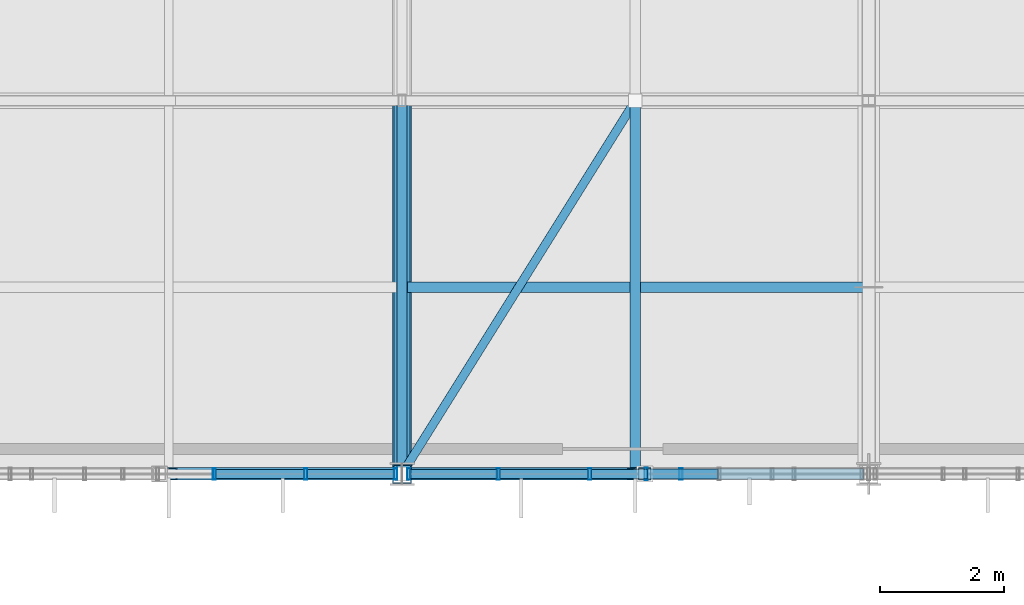
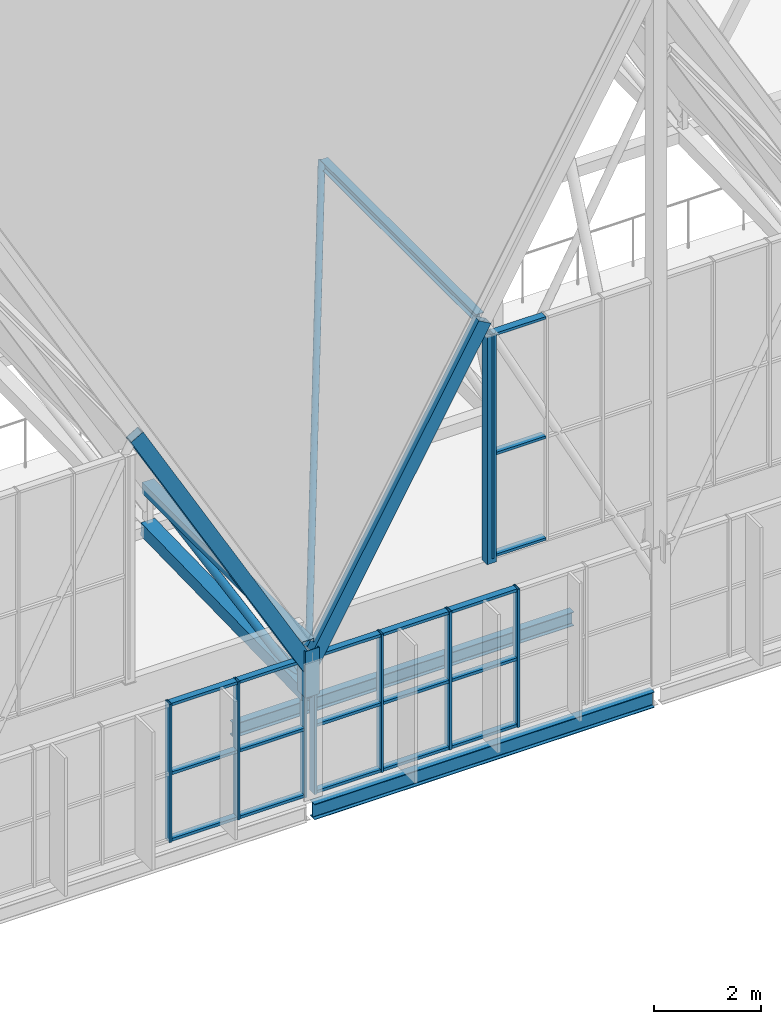
# One storey, part 125 of 324: 34 members, 3 beams, 3 elements without a shape of their own.
"""IFC4 building model written with IfcOpenShell, lengths in metres."""

from ifc_helpers import new_model, si_unit, direction, frame, origin, origin_2d, place, context, subcontext, project, spatial, hollow_rectangle, hollow_circle, i_section, extrude, material, layer, layer_set, material_profile, profile_set, type_object, element, aggregate, save


model = new_model("IFC4")

# Units and contexts
model_context = context("Model", 3, precision=1e-05, world=origin(), true_north=direction((0.0, 1.0)))
body_context = subcontext(model_context, "Body", "Model", "MODEL_VIEW")
ifc_project = project(units=[si_unit("LENGTHUNIT", "METRE"), si_unit("AREAUNIT", "SQUARE_METRE"), si_unit("VOLUMEUNIT", "CUBIC_METRE"), si_unit("PLANEANGLEUNIT", "RADIAN"), si_unit("MASSUNIT", "GRAM", prefix="KILO")], contexts=[model_context])

# Site, building, storey
site_placement = place(None, origin())
site = spatial("IfcSite", under=ifc_project, at=site_placement, CompositionType="ELEMENT")
building_placement = place(site_placement, origin())
building = spatial("IfcBuilding", under=site, at=building_placement, Name="Solvenia Promenade Tram Depot", CompositionType="ELEMENT")
storey_placement = place(building_placement, frame((0.0, 0.0, 4.5)))
storey = spatial("IfcBuildingStorey", under=building, at=storey_placement, Name="L01", CompositionType="ELEMENT", Elevation=4.5)

# Curtain wall, members
ifc_material_1 = material(Name="Anodized aluminium AW-6063 T6", Category="aluminium")
ifc_layer_1 = layer(ifc_material_1, 0.159912109375, Name="Anodized aluminium AW-6063 T6", Category="aluminium")
ifc_layer_set_1 = layer_set([ifc_layer_1], Name="Anodized aluminium AW-6063 T6")
curtain_wall_type_1 = type_object("IfcCurtainWallType", Name="CW-Channel-1500", PredefinedType="NOTDEFINED", material=ifc_layer_set_1)
curtain_wall_1_placement = place(storey_placement, origin())
curtain_wall_1 = element("IfcCurtainWall", 1, at=curtain_wall_1_placement, inside=storey, type_object=curtain_wall_type_1, Name="Curtain Wall CW-V1S1-04", PredefinedType="NOTDEFINED")
ifc_material_profile_1 = material_profile(ifc_material_1, hollow_rectangle(XDim=0.179931640625, YDim=0.050048828125, WallThickness=0.00390625, at=origin_2d()), Name="ALU-M2", Category="aluminium")
ifc_profile_set_1 = profile_set([ifc_material_profile_1], Name="Anodized aluminium AW-6063 T6")
member_type_1 = type_object("IfcMemberType", Name="CWM-Mullion-2", PredefinedType="MULLION", material=ifc_profile_set_1)
member_1_placement = place(storey_placement, frame((71.98388671875, 66.0, 0.0), z_axis=(0.0, 0.0, 1.0), x_axis=(0.0, 1.0, 0.0)))
member_1 = element("IfcMember", 2, at=member_1_placement, type_object=member_type_1, Name="CW-2 mullion 4", PredefinedType="MULLION", context=body_context, shape_type="SweptSolid", body=[
    extrude(hollow_rectangle(XDim=0.179931640625, YDim=0.050048828125, WallThickness=0.00390625, at=origin_2d()), origin(), (0.0, 0.0, 1.0), 3.14990234375),
])
member_2_placement = place(storey_placement, frame((73.451904296875, 66.0, 0.0), z_axis=(0.0, 0.0, 1.0), x_axis=(0.0, 1.0, 0.0)))
member_2 = element("IfcMember", 3, at=member_2_placement, type_object=member_type_1, Name="CW-2 mullion 5", PredefinedType="MULLION", context=body_context, shape_type="SweptSolid", body=[
    extrude(hollow_rectangle(XDim=0.179931640625, YDim=0.050048828125, WallThickness=0.00390625, at=origin_2d()), origin(), (0.0, 0.0, 1.0), 3.14990234375),
])
member_3_placement = place(storey_placement, frame((74.89501953125, 66.0, 0.0), z_axis=(0.0, 0.0, 1.0), x_axis=(0.0, 1.0, 0.0)))
member_3 = element("IfcMember", 4, at=member_3_placement, type_object=member_type_1, Name="CW-2 mullion 6", PredefinedType="MULLION", context=body_context, shape_type="SweptSolid", body=[
    extrude(hollow_rectangle(XDim=0.179931640625, YDim=0.050048828125, WallThickness=0.00390625, at=origin_2d()), origin(), (0.0, 0.0, 1.0), 3.14990234375),
])

curtain_wall_2_placement = place(storey_placement, origin())
curtain_wall_2 = element("IfcCurtainWall", 5, at=curtain_wall_2_placement, inside=storey, type_object=curtain_wall_type_1, Name="Curtain Wall CW-V1S1-05", PredefinedType="NOTDEFINED")
member_4_placement = place(storey_placement, frame((75.10498046875, 66.0, 0.0), z_axis=(0.0, 0.0, 1.0), x_axis=(0.0, 1.0, 0.0)))
member_4 = element("IfcMember", 6, at=member_4_placement, type_object=member_type_1, Name="CW-2 mullion 1", PredefinedType="MULLION", context=body_context, shape_type="SweptSolid", body=[
    extrude(hollow_rectangle(XDim=0.179931640625, YDim=0.050048828125, WallThickness=0.00390625, at=origin_2d()), origin(), (0.0, 0.0, 1.0), 3.14990234375),
])
member_5_placement = place(storey_placement, frame((76.548095703125, 66.0, 0.0), z_axis=(0.0, 0.0, 1.0), x_axis=(0.0, 1.0, 0.0)))
member_5 = element("IfcMember", 7, at=member_5_placement, type_object=member_type_1, Name="CW-2 mullion 2", PredefinedType="MULLION", context=body_context, shape_type="SweptSolid", body=[
    extrude(hollow_rectangle(XDim=0.179931640625, YDim=0.050048828125, WallThickness=0.00390625, at=origin_2d()), origin(), (0.0, 0.0, 1.0), 3.14990234375),
])
member_6_placement = place(storey_placement, frame((78.01611328125, 66.0, 0.0), z_axis=(0.0, 0.0, 1.0), x_axis=(0.0, 1.0, 0.0)))
member_6 = element("IfcMember", 8, at=member_6_placement, type_object=member_type_1, Name="CW-2 mullion 3", PredefinedType="MULLION", context=body_context, shape_type="SweptSolid", body=[
    extrude(hollow_rectangle(XDim=0.179931640625, YDim=0.050048828125, WallThickness=0.00390625, at=origin_2d()), origin(), (0.0, 0.0, 1.0), 3.14990234375),
])
member_7_placement = place(storey_placement, frame((79.48388671875, 66.0, 0.0), z_axis=(0.0, 0.0, 1.0), x_axis=(0.0, 1.0, 0.0)))
member_7 = element("IfcMember", 9, at=member_7_placement, type_object=member_type_1, Name="CW-2 mullion 4", PredefinedType="MULLION", context=body_context, shape_type="SweptSolid", body=[
    extrude(hollow_rectangle(XDim=0.179931640625, YDim=0.050048828125, WallThickness=0.00390625, at=origin_2d()), origin(), (0.0, 0.0, 1.0), 3.14990234375),
])

# Curtain wall, member
ifc_layer_2 = layer(ifc_material_1, 0.14990234375, Name="Anodized aluminium AW-6063 T6", Category="aluminium")
ifc_layer_set_2 = layer_set([ifc_layer_2], Name="Anodized aluminium AW-6063 T6")
curtain_wall_type_2 = type_object("IfcCurtainWallType", Name="CW-Gable-1200", PredefinedType="NOTDEFINED", material=ifc_layer_set_2)
curtain_wall_3_placement = place(storey_placement, origin())
curtain_wall_3 = element("IfcCurtainWall", 10, at=curtain_wall_3_placement, inside=storey, type_object=curtain_wall_type_2, Name="South Zigzag Gable 06 Peak Glazing", PredefinedType="NOTDEFINED")
ifc_material_profile_2 = material_profile(ifc_material_1, hollow_rectangle(XDim=0.199951171875, YDim=0.048095703125, WallThickness=0.00390625, at=origin_2d()), Name="ALU-M3", Category="aluminium")
ifc_profile_set_2 = profile_set([ifc_material_profile_2], Name="Anodized aluminium AW-6063 T6")
member_type_2 = type_object("IfcMemberType", Name="CWM-Mullion-3", PredefinedType="MULLION", material=ifc_profile_set_2)
member_8_placement = place(storey_placement, frame((78.924072265625, 66.0, 4.050048828125), z_axis=(0.0, 0.0, 1.0), x_axis=(0.0, 1.0, 0.0)))
member_8 = element("IfcMember", 11, at=member_8_placement, type_object=member_type_2, Name="CW-3 mullion 1", PredefinedType="MULLION", context=body_context, shape_type="SweptSolid", body=[
    extrude(hollow_rectangle(XDim=0.199951171875, YDim=0.048095703125, WallThickness=0.00390625, at=origin_2d()), origin(), (0.0, 0.0, 1.0), 5.099853515625),
])

# Member
ifc_material_profile_3 = material_profile(ifc_material_1, hollow_rectangle(XDim=0.139892578125, YDim=0.06494140625, WallThickness=0.00390625, at=origin_2d()), Name="ALU-T2", Category="aluminium")
ifc_profile_set_3 = profile_set([ifc_material_profile_3], Name="Anodized aluminium AW-6063 T6")
member_type_3 = type_object("IfcMemberType", Name="CWT-Transom-2", PredefinedType="USERDEFINED", material=ifc_profile_set_3)
member_9_placement = place(storey_placement, frame((72.009033203125, 66.0, 0.032470703125), z_axis=(1.0, 0.0, 0.0), x_axis=(0.0, 1.0, 0.0)))
member_9 = element("IfcMember", 12, at=member_9_placement, type_object=member_type_3, Name="CW-2 transom 4.1", ObjectType="TRANSOM", PredefinedType="USERDEFINED", context=body_context, shape_type="SweptSolid", body=[
    extrude(hollow_rectangle(XDim=0.139892578125, YDim=0.06494140625, WallThickness=0.00390625, at=origin_2d()), origin(), (0.0, 0.0, 1.0), 1.41796875),
])

member_10_placement = place(storey_placement, frame((72.009033203125, 66.0, 1.550048828125), z_axis=(1.0, 0.0, 0.0), x_axis=(0.0, 1.0, 0.0)))
member_10 = element("IfcMember", 13, at=member_10_placement, type_object=member_type_3, Name="CW-2 transom 4.2", ObjectType="TRANSOM", PredefinedType="USERDEFINED", context=body_context, shape_type="SweptSolid", body=[
    extrude(hollow_rectangle(XDim=0.139892578125, YDim=0.06494140625, WallThickness=0.00390625, at=origin_2d()), origin(), (0.0, 0.0, 1.0), 1.41796875),
])

member_11_placement = place(storey_placement, frame((72.009033203125, 66.0, 3.117431640625), z_axis=(1.0, 0.0, 0.0), x_axis=(0.0, 1.0, 0.0)))
member_11 = element("IfcMember", 14, at=member_11_placement, type_object=member_type_3, Name="CW-2 transom 4.3", ObjectType="TRANSOM", PredefinedType="USERDEFINED", context=body_context, shape_type="SweptSolid", body=[
    extrude(hollow_rectangle(XDim=0.139892578125, YDim=0.06494140625, WallThickness=0.00390625, at=origin_2d()), origin(), (0.0, 0.0, 1.0), 1.41796875),
])

member_12_placement = place(storey_placement, frame((73.47705078125, 66.0, 0.032470703125), z_axis=(1.0, 0.0, 0.0), x_axis=(0.0, 1.0, 0.0)))
member_12 = element("IfcMember", 15, at=member_12_placement, type_object=member_type_3, Name="CW-2 transom 5.1", ObjectType="TRANSOM", PredefinedType="USERDEFINED", context=body_context, shape_type="SweptSolid", body=[
    extrude(hollow_rectangle(XDim=0.139892578125, YDim=0.06494140625, WallThickness=0.00390625, at=origin_2d()), origin(), (0.0, 0.0, 1.0), 1.39306640625),
])

member_13_placement = place(storey_placement, frame((73.47705078125, 66.0, 1.550048828125), z_axis=(1.0, 0.0, 0.0), x_axis=(0.0, 1.0, 0.0)))
member_13 = element("IfcMember", 16, at=member_13_placement, type_object=member_type_3, Name="CW-2 transom 5.2", ObjectType="TRANSOM", PredefinedType="USERDEFINED", context=body_context, shape_type="SweptSolid", body=[
    extrude(hollow_rectangle(XDim=0.139892578125, YDim=0.06494140625, WallThickness=0.00390625, at=origin_2d()), origin(), (0.0, 0.0, 1.0), 1.39306640625),
])

member_14_placement = place(storey_placement, frame((73.47705078125, 66.0, 3.117431640625), z_axis=(1.0, 0.0, 0.0), x_axis=(0.0, 1.0, 0.0)))
member_14 = element("IfcMember", 17, at=member_14_placement, type_object=member_type_3, Name="CW-2 transom 5.3", ObjectType="TRANSOM", PredefinedType="USERDEFINED", context=body_context, shape_type="SweptSolid", body=[
    extrude(hollow_rectangle(XDim=0.139892578125, YDim=0.06494140625, WallThickness=0.00390625, at=origin_2d()), origin(), (0.0, 0.0, 1.0), 1.39306640625),
])

aggregate(curtain_wall_1, [member_1, member_2, member_3, member_9, member_10, member_11, member_12, member_13, member_14])

member_15_placement = place(storey_placement, frame((75.1298828125, 66.0, 0.032470703125), z_axis=(1.0, 0.0, 0.0), x_axis=(0.0, 1.0, 0.0)))
member_15 = element("IfcMember", 18, at=member_15_placement, type_object=member_type_3, Name="CW-2 transom 1.1", ObjectType="TRANSOM", PredefinedType="USERDEFINED", context=body_context, shape_type="SweptSolid", body=[
    extrude(hollow_rectangle(XDim=0.139892578125, YDim=0.06494140625, WallThickness=0.00390625, at=origin_2d()), origin(), (0.0, 0.0, 1.0), 1.39306640625),
])

member_16_placement = place(storey_placement, frame((75.1298828125, 66.0, 1.550048828125), z_axis=(1.0, 0.0, 0.0), x_axis=(0.0, 1.0, 0.0)))
member_16 = element("IfcMember", 19, at=member_16_placement, type_object=member_type_3, Name="CW-2 transom 1.2", ObjectType="TRANSOM", PredefinedType="USERDEFINED", context=body_context, shape_type="SweptSolid", body=[
    extrude(hollow_rectangle(XDim=0.139892578125, YDim=0.06494140625, WallThickness=0.00390625, at=origin_2d()), origin(), (0.0, 0.0, 1.0), 1.39306640625),
])

member_17_placement = place(storey_placement, frame((75.1298828125, 66.0, 3.117431640625), z_axis=(1.0, 0.0, 0.0), x_axis=(0.0, 1.0, 0.0)))
member_17 = element("IfcMember", 20, at=member_17_placement, type_object=member_type_3, Name="CW-2 transom 1.3", ObjectType="TRANSOM", PredefinedType="USERDEFINED", context=body_context, shape_type="SweptSolid", body=[
    extrude(hollow_rectangle(XDim=0.139892578125, YDim=0.06494140625, WallThickness=0.00390625, at=origin_2d()), origin(), (0.0, 0.0, 1.0), 1.39306640625),
])

member_18_placement = place(storey_placement, frame((76.572998046875, 66.0, 0.032470703125), z_axis=(1.0, 0.0, 0.0), x_axis=(0.0, 1.0, 0.0)))
member_18 = element("IfcMember", 21, at=member_18_placement, type_object=member_type_3, Name="CW-2 transom 2.1", ObjectType="TRANSOM", PredefinedType="USERDEFINED", context=body_context, shape_type="SweptSolid", body=[
    extrude(hollow_rectangle(XDim=0.139892578125, YDim=0.06494140625, WallThickness=0.00390625, at=origin_2d()), origin(), (0.0, 0.0, 1.0), 1.41796875),
])

member_19_placement = place(storey_placement, frame((76.572998046875, 66.0, 1.550048828125), z_axis=(1.0, 0.0, 0.0), x_axis=(0.0, 1.0, 0.0)))
member_19 = element("IfcMember", 22, at=member_19_placement, type_object=member_type_3, Name="CW-2 transom 2.2", ObjectType="TRANSOM", PredefinedType="USERDEFINED", context=body_context, shape_type="SweptSolid", body=[
    extrude(hollow_rectangle(XDim=0.139892578125, YDim=0.06494140625, WallThickness=0.00390625, at=origin_2d()), origin(), (0.0, 0.0, 1.0), 1.41796875),
])

member_20_placement = place(storey_placement, frame((76.572998046875, 66.0, 3.117431640625), z_axis=(1.0, 0.0, 0.0), x_axis=(0.0, 1.0, 0.0)))
member_20 = element("IfcMember", 23, at=member_20_placement, type_object=member_type_3, Name="CW-2 transom 2.3", ObjectType="TRANSOM", PredefinedType="USERDEFINED", context=body_context, shape_type="SweptSolid", body=[
    extrude(hollow_rectangle(XDim=0.139892578125, YDim=0.06494140625, WallThickness=0.00390625, at=origin_2d()), origin(), (0.0, 0.0, 1.0), 1.41796875),
])

member_21_placement = place(storey_placement, frame((78.041015625, 66.0, 0.032470703125), z_axis=(1.0, 0.0, 0.0), x_axis=(0.0, 1.0, 0.0)))
member_21 = element("IfcMember", 24, at=member_21_placement, type_object=member_type_3, Name="CW-2 transom 3.1", ObjectType="TRANSOM", PredefinedType="USERDEFINED", context=body_context, shape_type="SweptSolid", body=[
    extrude(hollow_rectangle(XDim=0.139892578125, YDim=0.06494140625, WallThickness=0.00390625, at=origin_2d()), origin(), (0.0, 0.0, 1.0), 1.41796875),
])

member_22_placement = place(storey_placement, frame((78.041015625, 66.0, 1.550048828125), z_axis=(1.0, 0.0, 0.0), x_axis=(0.0, 1.0, 0.0)))
member_22 = element("IfcMember", 25, at=member_22_placement, type_object=member_type_3, Name="CW-2 transom 3.2", ObjectType="TRANSOM", PredefinedType="USERDEFINED", context=body_context, shape_type="SweptSolid", body=[
    extrude(hollow_rectangle(XDim=0.139892578125, YDim=0.06494140625, WallThickness=0.00390625, at=origin_2d()), origin(), (0.0, 0.0, 1.0), 1.41796875),
])

member_23_placement = place(storey_placement, frame((78.041015625, 66.0, 3.117431640625), z_axis=(1.0, 0.0, 0.0), x_axis=(0.0, 1.0, 0.0)))
member_23 = element("IfcMember", 26, at=member_23_placement, type_object=member_type_3, Name="CW-2 transom 3.3", ObjectType="TRANSOM", PredefinedType="USERDEFINED", context=body_context, shape_type="SweptSolid", body=[
    extrude(hollow_rectangle(XDim=0.139892578125, YDim=0.06494140625, WallThickness=0.00390625, at=origin_2d()), origin(), (0.0, 0.0, 1.0), 1.41796875),
])

aggregate(curtain_wall_2, [member_4, member_5, member_6, member_7, member_15, member_16, member_17, member_18, member_19, member_20, member_21, member_22, member_23])

ifc_material_profile_4 = material_profile(ifc_material_1, hollow_rectangle(XDim=0.159912109375, YDim=0.05810546875, WallThickness=0.00390625, at=origin_2d()), Name="ALU-T3", Category="aluminium")
ifc_profile_set_4 = profile_set([ifc_material_profile_4], Name="Anodized aluminium AW-6063 T6")
member_type_4 = type_object("IfcMemberType", Name="CWT-Transom-3", PredefinedType="USERDEFINED", material=ifc_profile_set_4)
member_24_placement = place(storey_placement, frame((78.947998046875, 66.0, 4.0791015625), z_axis=(1.0, 0.0, 0.0), x_axis=(0.0, 1.0, 0.0)))
member_24 = element("IfcMember", 27, at=member_24_placement, type_object=member_type_4, Name="CW-3 transom 1.1", ObjectType="TRANSOM", PredefinedType="USERDEFINED", context=body_context, shape_type="SweptSolid", body=[
    extrude(hollow_rectangle(XDim=0.159912109375, YDim=0.05810546875, WallThickness=0.00390625, at=origin_2d()), origin(), (0.0, 0.0, 1.0), 1.1279296875),
])

member_25_placement = place(storey_placement, frame((78.947998046875, 66.0, 6.39990234375), z_axis=(1.0, 0.0, 0.0), x_axis=(0.0, 1.0, 0.0)))
member_25 = element("IfcMember", 28, at=member_25_placement, type_object=member_type_4, Name="CW-3 transom 1.2", ObjectType="TRANSOM", PredefinedType="USERDEFINED", context=body_context, shape_type="SweptSolid", body=[
    extrude(hollow_rectangle(XDim=0.159912109375, YDim=0.05810546875, WallThickness=0.00390625, at=origin_2d()), origin(), (0.0, 0.0, 1.0), 1.1279296875),
])

member_26_placement = place(storey_placement, frame((78.947998046875, 66.0, 9.12109375), z_axis=(1.0, 0.0, 0.0), x_axis=(0.0, 1.0, 0.0)))
member_26 = element("IfcMember", 29, at=member_26_placement, type_object=member_type_4, Name="CW-3 transom 1.3", ObjectType="TRANSOM", PredefinedType="USERDEFINED", context=body_context, shape_type="SweptSolid", body=[
    extrude(hollow_rectangle(XDim=0.159912109375, YDim=0.05810546875, WallThickness=0.00390625, at=origin_2d()), origin(), (0.0, 0.0, 1.0), 1.1279296875),
])

aggregate(curtain_wall_3, [member_8, member_24, member_25, member_26])

# Members
ifc_material_2 = material(Name="Structural steel ASTM A500 Gr. C", Category="steel")
ifc_material_profile_5 = material_profile(ifc_material_2, hollow_rectangle(XDim=0.25, YDim=0.25, WallThickness=0.010009765625, at=origin_2d()), Name="HSS250x250x10", Category="steel")
ifc_profile_set_5 = profile_set([ifc_material_profile_5], Name="Structural steel ASTM A500 Gr. C")
member_type_5 = type_object("IfcMemberType", Name="Chord-HSS250x250x10", PredefinedType="CHORD", material=ifc_profile_set_5)
member_27_placement = place(storey_placement, frame((75.0, 66.0, 3.3798828125), z_axis=(0.0, 1.0, 0.0), x_axis=(-1.0, 0.0, 0.0)))
element("IfcMember", 30, at=member_27_placement, inside=storey, type_object=member_type_5, Name="Arched Truss T11 Upper Chord S01", PredefinedType="CHORD", context=body_context, shape_type="SweptSolid", body=[
    extrude(hollow_rectangle(XDim=0.25, YDim=0.25, WallThickness=0.010009765625, at=origin_2d()), origin(), (0.0, 0.0, 1.0), 6.0),
])
ifc_material_profile_6 = material_profile(ifc_material_2, hollow_rectangle(XDim=0.199951171875, YDim=0.300048828125, WallThickness=0.012451171875, at=origin_2d()), Name="HSS300x200x12.5", Category="steel")
ifc_profile_set_6 = profile_set([ifc_material_profile_6], Name="Structural steel ASTM A500 Gr. C")
member_type_6 = type_object("IfcMemberType", Name="Chord-HSS300x200x12", PredefinedType="CHORD", material=ifc_profile_set_6)
for number, where, z_axis, x_axis, name in (
    (31, (71.25, 66.0, 9.501220703125), (0.494861595532, 0.0, -0.868971806946), (0.0, 1.0, 0.0), "Zigzag Gable 05 East Lower Rafter"),
    (32, (75.0, 66.0, 2.916259765625), (0.494861595532, 0.0, 0.868971806946), (0.0, 1.0, 0.0), "Zigzag Gable 06 West Lower Rafter"),
):
    element("IfcMember", number, at=place(storey_placement, frame(where, z_axis=z_axis, x_axis=x_axis)), inside=storey, type_object=member_type_6, Name=name, PredefinedType="CHORD", context=body_context, shape_type="SweptSolid", body=[
        extrude(hollow_rectangle(XDim=0.199951171875, YDim=0.300048828125, WallThickness=0.012451171875, at=origin_2d()), origin(), (0.0, 0.0, 1.0), 7.577880859375),
    ])
ifc_material_profile_7 = material_profile(ifc_material_2, hollow_rectangle(XDim=0.300048828125, YDim=0.300048828125, WallThickness=0.012451171875, at=origin_2d()), Name="HSS300x300x12.5", Category="steel")
ifc_profile_set_7 = profile_set([ifc_material_profile_7], Name="Structural steel ASTM A500 Gr. C")
member_type_7 = type_object("IfcMemberType", Name="Chord-HSS300x300x12", PredefinedType="CHORD", material=ifc_profile_set_7)
member_28_placement = place(storey_placement, frame((75.0, 66.0, 2.320068359375), z_axis=(0.0, 0.0, 1.0), x_axis=(1.0, 0.0, 0.0)))
element("IfcMember", 33, at=member_28_placement, inside=storey, type_object=member_type_7, Name="Arched Truss T11 S End Post", PredefinedType="CHORD", context=body_context, shape_type="SweptSolid", body=[
    extrude(hollow_rectangle(XDim=0.300048828125, YDim=0.300048828125, WallThickness=0.012451171875, at=origin_2d()), origin(), (0.0, 0.0, 1.0), 1.059814453125),
])
member_29_placement = place(storey_placement, frame((75.0, 66.0, 2.320068359375), z_axis=(0.0, 0.999779654873, 0.020991467363), x_axis=(-1.0, 0.0, 0.0)))
element("IfcMember", 34, at=member_29_placement, inside=storey, type_object=member_type_7, Name="Arched Truss T11 Bottom Chord S01", PredefinedType="CHORD", context=body_context, shape_type="SweptSolid", body=[
    extrude(hollow_rectangle(XDim=0.300048828125, YDim=0.300048828125, WallThickness=0.012451171875, at=origin_2d()), origin(), (0.0, 0.0, 1.0), 6.001220703125),
])

# Beam
ifc_material_3 = material(Name="Structural steel ASTM A992 Gr. 50", Category="steel")
ifc_material_profile_8 = material_profile(ifc_material_3, i_section(OverallWidth=0.166015625, OverallDepth=0.31298828125, WebThickness=0.006591796875, FlangeThickness=0.01123046875, FilletRadius=0.010009765625, at=origin_2d()), Name="W310x45", Category="steel")
ifc_profile_set_8 = profile_set([ifc_material_profile_8], Name="Structural steel ASTM A992 Gr. 50")
beam_type_1 = type_object("IfcBeamType", Name="Joist-W310x45", PredefinedType="JOIST", material=ifc_profile_set_8)
beam_1_placement = place(storey_placement, frame((75.0849609375, 69.0, -0.37646484375), z_axis=(1.0, 0.0, 0.0), x_axis=(0.0, 1.0, 0.0)))
element("IfcBeam", 35, at=beam_1_placement, inside=storey, type_object=beam_type_1, Name="Secondary Floor Joist BM-L01-0091", PredefinedType="JOIST", context=body_context, shape_type="SweptSolid", body=[
    extrude(i_section(OverallWidth=0.166015625, OverallDepth=0.31298828125, WebThickness=0.006591796875, FlangeThickness=0.01123046875, FilletRadius=0.010009765625, at=origin_2d()), origin(), (0.0, 0.0, 1.0), 7.330078125),
])

# Member
ifc_material_profile_9 = material_profile(ifc_material_2, hollow_rectangle(XDim=0.199951171875, YDim=0.199951171875, WallThickness=0.010009765625, at=origin_2d()), Name="HSS200x200x10", Category="steel")
ifc_profile_set_9 = profile_set([ifc_material_profile_9], Name="Structural steel ASTM A500 Gr. C")
member_type_8 = type_object("IfcMemberType", Name="Post-HSS200x200x10", PredefinedType="POST", material=ifc_profile_set_9)
member_30_placement = place(storey_placement, frame((78.89990234375, 66.0, 3.949951171875), z_axis=(0.0, 0.0, 1.0), x_axis=(1.0, 0.0, 0.0)))
element("IfcMember", 36, at=member_30_placement, inside=storey, type_object=member_type_8, Name="Gable Curtain-Wall Steel Jamb Post 023", PredefinedType="POST", context=body_context, shape_type="SweptSolid", body=[
    extrude(hollow_rectangle(XDim=0.199951171875, YDim=0.199951171875, WallThickness=0.010009765625, at=origin_2d()), origin(), (0.0, 0.0, 1.0), 5.199951171875),
])

# Beam
ifc_material_profile_10 = material_profile(ifc_material_3, i_section(OverallWidth=0.1650390625, OverallDepth=0.200927734375, WebThickness=0.006103515625, FlangeThickness=0.01025390625, FilletRadius=0.010009765625, at=origin_2d()), Name="W200x36", Category="steel")
ifc_profile_set_10 = profile_set([ifc_material_profile_10], Name="Structural steel ASTM A992 Gr. 50")
beam_type_2 = type_object("IfcBeamType", Name="Purlin-W200x36", PredefinedType="USERDEFINED", material=ifc_profile_set_10)
beam_2_placement = place(storey_placement, frame((78.75, 66.0849609375, 9.484130859375), z_axis=(0.0, 1.0, 0.0), x_axis=(-1.0, 0.0, 0.0)))
element("IfcBeam", 37, at=beam_2_placement, inside=storey, type_object=beam_type_2, Name="Gable Roof Purlin W-0101", ObjectType="PURLIN", PredefinedType="USERDEFINED", context=body_context, shape_type="SweptSolid", body=[
    extrude(i_section(OverallWidth=0.1650390625, OverallDepth=0.200927734375, WebThickness=0.006103515625, FlangeThickness=0.01025390625, FilletRadius=0.010009765625, at=origin_2d()), origin(), (0.0, 0.0, 1.0), 5.830078125),
])

# Member
ifc_material_profile_11 = material_profile(ifc_material_2, hollow_circle(Radius=0.06982421875, WallThickness=0.00634765625, at=origin_2d()), Name="CHS139.7x6.3", Category="steel")
ifc_profile_set_11 = profile_set([ifc_material_profile_11], Name="Structural steel ASTM A500 Gr. C")
member_type_9 = type_object("IfcMemberType", Name="RoofBrace-CHS140x6", PredefinedType="BRACE", material=ifc_profile_set_11)
member_31_placement = place(storey_placement, frame((75.0, 66.0, 2.916259765625), z_axis=(0.387973041427, 0.620756866284, 0.681276619361), x_axis=(-0.847998304005, 0.529998940003, 0.0)))
element("IfcMember", 38, at=member_31_placement, inside=storey, type_object=member_type_9, Name="Roof Plan Wind Brace 011", PredefinedType="BRACE", context=body_context, shape_type="SweptSolid", body=[
    extrude(hollow_circle(Radius=0.06982421875, WallThickness=0.00634765625, at=origin_2d()), origin(), (0.0, 0.0, 1.0), 9.66552734375),
])

# Beam
ifc_material_profile_12 = material_profile(ifc_material_3, i_section(OverallWidth=0.172119140625, OverallDepth=0.35791015625, WebThickness=0.0078125, FlangeThickness=0.01318359375, FilletRadius=0.010986328125, at=origin_2d()), Name="W360x57", Category="steel")
ifc_profile_set_12 = profile_set([ifc_material_profile_12], Name="Structural steel ASTM A992 Gr. 50")
beam_type_3 = type_object("IfcBeamType", Name="Spandrel-W360x57", PredefinedType="SPANDREL", material=ifc_profile_set_12)
beam_3_placement = place(storey_placement, frame((75.0849609375, 66.0, -0.39892578125), z_axis=(1.0, 0.0, 0.0), x_axis=(0.0, 1.0, 0.0)))
element("IfcBeam", 39, at=beam_3_placement, inside=storey, type_object=beam_type_3, Name="Perimeter Spandrel BM-L01-0011", PredefinedType="SPANDREL", context=body_context, shape_type="SweptSolid", body=[
    extrude(i_section(OverallWidth=0.172119140625, OverallDepth=0.35791015625, WebThickness=0.0078125, FlangeThickness=0.01318359375, FilletRadius=0.010986328125, at=origin_2d()), origin(), (0.0, 0.0, 1.0), 7.330078125),
])

# Member
ifc_material_profile_13 = material_profile(ifc_material_2, hollow_circle(Radius=0.084228515625, WallThickness=0.008056640625, at=origin_2d()), Name="CHS168.3x8", Category="steel")
ifc_profile_set_13 = profile_set([ifc_material_profile_13], Name="Structural steel ASTM A500 Gr. C")
member_type_10 = type_object("IfcMemberType", Name="WebDiag-CHS168x8", PredefinedType="BRACE", material=ifc_profile_set_13)
member_32_placement = place(storey_placement, frame((75.0, 66.0, 2.320068359375), z_axis=(0.0, 0.984755712458, 0.173943056143), x_axis=(-1.0, 0.0, 0.0)))
element("IfcMember", 40, at=member_32_placement, inside=storey, type_object=member_type_10, Name="Arched Truss T11 Web Diagonal S01", PredefinedType="BRACE", context=body_context, shape_type="SweptSolid", body=[
    extrude(hollow_circle(Radius=0.084228515625, WallThickness=0.008056640625, at=origin_2d()), origin(), (0.0, 0.0, 1.0), 6.0927734375),
])

save(model, "model.ifc")
